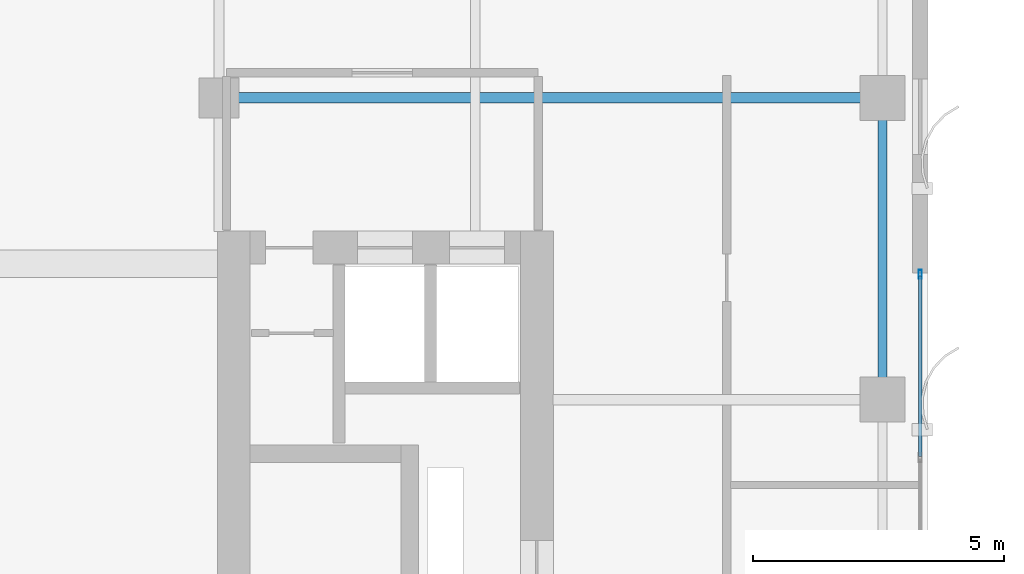
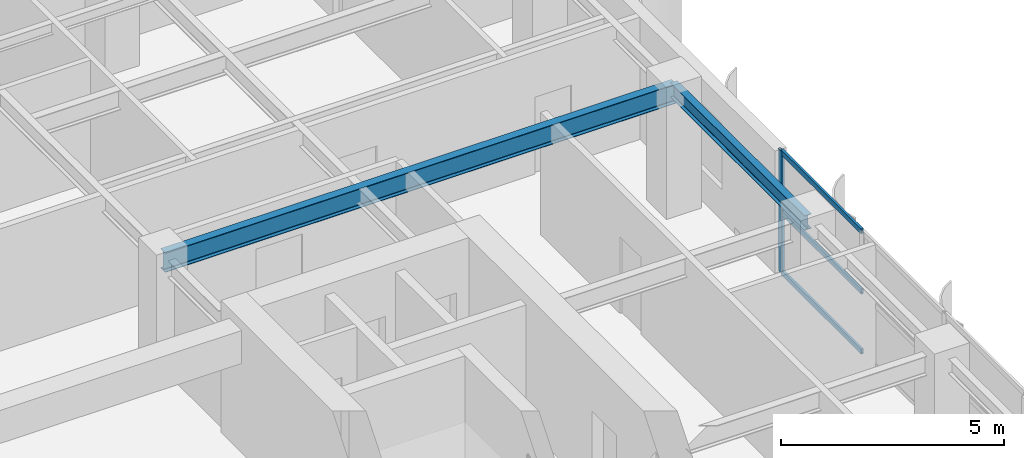
# One storey, part 9 of 22: 4 members, 2 beams, 1 element without a shape of its own.
"""IFC4 building model written with IfcOpenShell, lengths in metres."""

from ifc_helpers import new_model, si_unit, direction, frame, origin, origin_2d, place, context, subcontext, project, spatial, hollow_rectangle, i_section, extrude, source, transform, mapped, material, layer, layer_set, material_profile, profile_set, type_object, element, aggregate, save


model = new_model("IFC4")

# Units and contexts
model_context = context("Model", 3, precision=1e-05, world=origin(), true_north=direction((0.0, 1.0)))
body_context = subcontext(model_context, "Body", "Model", "MODEL_VIEW")
ifc_project = project(units=[si_unit("LENGTHUNIT", "METRE"), si_unit("AREAUNIT", "SQUARE_METRE"), si_unit("VOLUMEUNIT", "CUBIC_METRE"), si_unit("PLANEANGLEUNIT", "RADIAN"), si_unit("MASSUNIT", "GRAM", prefix="KILO")], contexts=[model_context])

# Site, building, storey
site_placement = place(None, origin())
site = spatial("IfcSite", under=ifc_project, at=site_placement, CompositionType="ELEMENT")
building_placement = place(site_placement, origin())
building = spatial("IfcBuilding", under=site, at=building_placement, Name="Khoralis Quay Care Tower", CompositionType="ELEMENT")
storey_placement = place(building_placement, frame((0.0, 0.0, 180.89990234375)))
storey = spatial("IfcBuildingStorey", under=building, at=storey_placement, Name="L47", CompositionType="ELEMENT", Elevation=180.89990234375)

# Beams
ifc_material_1 = material(Name="Steel S355", Category="steel")
ifc_material_profile_1 = material_profile(ifc_material_1, i_section(OverallWidth=0.179931640625, OverallDepth=0.39990234375, WebThickness=0.008544921875, FlangeThickness=0.013427734375, FilletRadius=0.02099609375, at=origin_2d()), Name="Steel S355")
ifc_profile_set_1 = profile_set([ifc_material_profile_1], Name="Steel S355")
beam_type_1 = type_object("IfcBeamType", Name="BM-IPE400", PredefinedType="SPANDREL", material=ifc_profile_set_1)
shared_shape_1 = source(origin(), body_context, "Body", "SweptSolid", [
    extrude(i_section(OverallWidth=0.179931640625, OverallDepth=0.39990234375, WebThickness=0.008544921875, FlangeThickness=0.013427734375, FilletRadius=0.02099609375, at=origin_2d()), origin(), (0.0, 0.0, 1.0), 6.0),
])
beam_1_placement = place(storey_placement, frame((44.10009765625, 24.0, 3.14013671875), z_axis=(0.0, 1.0, 0.0), x_axis=(-1.0, 0.0, 0.0)))
element("IfcBeam", 1, at=beam_1_placement, inside=storey, type_object=beam_type_1, Name="BM-TSP-L47-17", PredefinedType="SPANDREL", context=body_context, shape_type="MappedRepresentation", body=[
    mapped(shared_shape_1, transform((0.0, 0.0, 0.0), scale=1.0)),
])
ifc_material_profile_2 = material_profile(ifc_material_1, i_section(OverallWidth=0.208984375, OverallDepth=0.532958984375, WebThickness=0.01025390625, FlangeThickness=0.015625, FilletRadius=0.01611328125, at=origin_2d()), Name="Steel S355")
ifc_profile_set_2 = profile_set([ifc_material_profile_2], Name="Steel S355")
beam_type_2 = type_object("IfcBeamType", Name="BM-W530X92", PredefinedType="BEAM", material=ifc_profile_set_2)
shared_shape_2 = source(origin(), body_context, "Body", "SweptSolid", [
    extrude(i_section(OverallWidth=0.208984375, OverallDepth=0.532958984375, WebThickness=0.01025390625, FlangeThickness=0.015625, FilletRadius=0.01611328125, at=origin_2d()), origin(), (0.0, 0.0, 1.0), 13.2001953125),
])
beam_2_placement = place(storey_placement, frame((30.89990234375, 30.0, 3.073486328125), z_axis=(1.0, 0.0, 0.0), x_axis=(0.0, 1.0, 0.0)))
element("IfcBeam", 2, at=beam_2_placement, inside=storey, type_object=beam_type_2, Name="BM-TGXE-L47-300", PredefinedType="BEAM", context=body_context, shape_type="MappedRepresentation", body=[
    mapped(shared_shape_2, transform((0.0, 0.0, 0.0), scale=1.0)),
])

# Curtain wall, members
ifc_material_2 = material(Name="Pale anodised aluminium", Category="aluminium")
ifc_layer = layer(ifc_material_2, 0.159912109375)
ifc_layer_set = layer_set([ifc_layer], Name="Pale anodised aluminium")
curtain_wall_type = type_object("IfcCurtainWallType", Name="CW-SYS-Z3", PredefinedType="NOTDEFINED", material=ifc_layer_set)
curtain_wall_placement = place(storey_placement, origin())
curtain_wall = element("IfcCurtainWall", 3, at=curtain_wall_placement, inside=storey, type_object=curtain_wall_type, Name="L47 Unitised Curtain Wall CW-L47-P1-E5", PredefinedType="NOTDEFINED")
ifc_material_profile_3 = material_profile(ifc_material_2, hollow_rectangle(XDim=0.06494140625, YDim=0.179931640625, WallThickness=0.00390625, at=origin_2d()), Name="Pale anodised aluminium")
ifc_profile_set_3 = profile_set([ifc_material_profile_3], Name="Pale anodised aluminium")
member_type_1 = type_object("IfcMemberType", Name="CW-MUL-180", PredefinedType="MULLION", material=ifc_profile_set_3)
shared_shape_3 = source(origin(), body_context, "Body", "SweptSolid", [
    extrude(hollow_rectangle(XDim=0.06494140625, YDim=0.179931640625, WallThickness=0.00390625, at=origin_2d()), origin(), (0.0, 0.0, 1.0), 3.340087890625),
])
member_1_placement = place(storey_placement, frame((44.85009765625, 26.489990234375, 0.0), z_axis=(0.0, 0.0, 1.0), x_axis=(-1.0, 0.0, 0.0)))
member_1 = element("IfcMember", 4, at=member_1_placement, type_object=member_type_1, Name="CW3 mullion 4", PredefinedType="MULLION", context=body_context, shape_type="MappedRepresentation", body=[
    mapped(shared_shape_3, transform((0.0, 0.0, 0.0), scale=1.0)),
])
ifc_material_profile_4 = material_profile(ifc_material_2, hollow_rectangle(XDim=0.06005859375, YDim=0.139892578125, WallThickness=0.00390625, at=origin_2d()), Name="Pale anodised aluminium")
ifc_profile_set_4 = profile_set([ifc_material_profile_4], Name="Pale anodised aluminium")
member_type_2 = type_object("IfcMemberType", Name="CW-TRN-140", PredefinedType="USERDEFINED", material=ifc_profile_set_4)
shared_shape_4 = source(origin(), body_context, "Body", "SweptSolid", [
    extrude(hollow_rectangle(XDim=0.06005859375, YDim=0.139892578125, WallThickness=0.00390625, at=origin_2d()), origin(), (0.0, 0.0, 1.0), 3.58984375),
])
member_2_placement = place(storey_placement, frame((44.85009765625, 22.8701171875, 0.030029296875), z_axis=(0.0, 1.0, 0.0), x_axis=(-1.0, 0.0, 0.0)))
member_2 = element("IfcMember", 5, at=member_2_placement, type_object=member_type_2, Name="CW3 transom 3.1", ObjectType="TRANSOM", PredefinedType="USERDEFINED", context=body_context, shape_type="MappedRepresentation", body=[
    mapped(shared_shape_4, transform((0.0, 0.0, 0.0), scale=1.0)),
])
member_3_placement = place(storey_placement, frame((44.85009765625, 22.8701171875, 1.670166015625), z_axis=(0.0, 1.0, 0.0), x_axis=(-1.0, 0.0, 0.0)))
member_3 = element("IfcMember", 6, at=member_3_placement, type_object=member_type_2, Name="CW3 transom 3.2", ObjectType="TRANSOM", PredefinedType="USERDEFINED", context=body_context, shape_type="MappedRepresentation", body=[
    mapped(shared_shape_4, transform((0.0, 0.0, 0.0), scale=1.0)),
])
member_4_placement = place(storey_placement, frame((44.85009765625, 22.8701171875, 3.31005859375), z_axis=(0.0, 1.0, 0.0), x_axis=(-1.0, 0.0, 0.0)))
member_4 = element("IfcMember", 7, at=member_4_placement, type_object=member_type_2, Name="CW3 transom 3.3", ObjectType="TRANSOM", PredefinedType="USERDEFINED", context=body_context, shape_type="MappedRepresentation", body=[
    mapped(shared_shape_4, transform((0.0, 0.0, 0.0), scale=1.0)),
])
aggregate(curtain_wall, [member_1, member_2, member_3, member_4])

save(model, "model.ifc")
